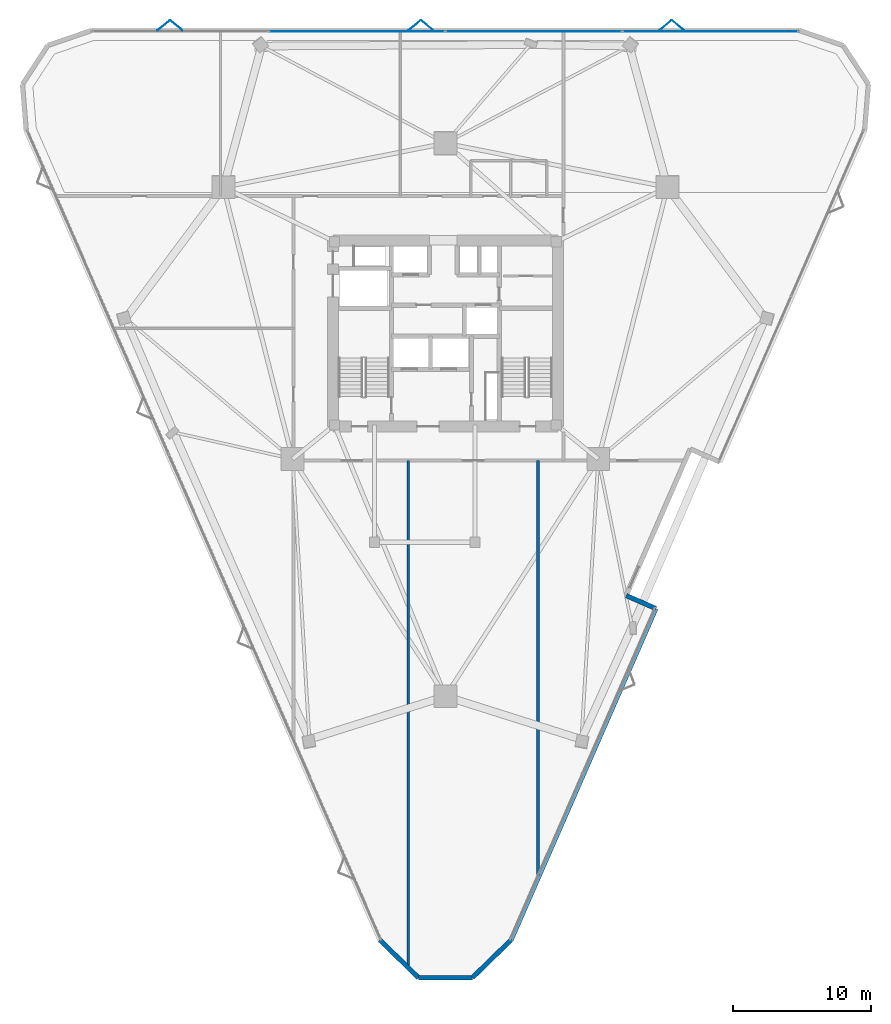
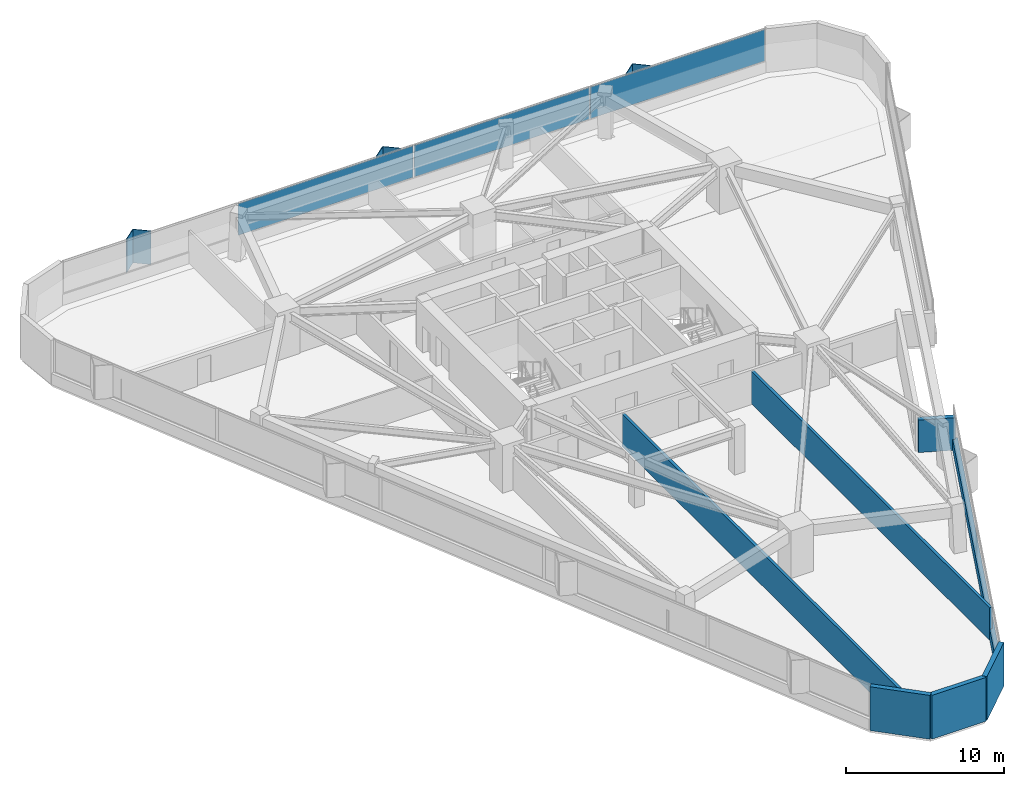
# One storey, part 10 of 15: 9 plates, 7 walls, 1 element without a shape of its own.
"""IFC4 building model written with IfcOpenShell, lengths in metres."""

from ifc_helpers import new_model, si_unit, direction, frame, frame_2d, origin, origin_2d, place, context, subcontext, project, spatial, rectangle, extrude, material, layer, layer_set, type_object, element, aggregate, save


model = new_model("IFC4")

# Units and contexts
model_context = context("Model", 3, precision=1e-05, world=origin(), true_north=direction((0.0, 1.0)))
body_context = subcontext(model_context, "Body", "Model", "MODEL_VIEW")
ifc_project = project(units=[si_unit("LENGTHUNIT", "METRE"), si_unit("AREAUNIT", "SQUARE_METRE"), si_unit("VOLUMEUNIT", "CUBIC_METRE"), si_unit("PLANEANGLEUNIT", "RADIAN"), si_unit("MASSUNIT", "GRAM", prefix="KILO")], contexts=[model_context])

# Site, building, storey
site_placement = place(None, origin())
site = spatial("IfcSite", under=ifc_project, at=site_placement, CompositionType="ELEMENT")
building_placement = place(site_placement, origin())
building = spatial("IfcBuilding", under=site, at=building_placement, Name="Talyreon Biosciences Tower", CompositionType="ELEMENT")
storey_placement = place(building_placement, frame((0.0, 0.0, 100.550048828125)))
storey = spatial("IfcBuildingStorey", under=building, at=storey_placement, Name="L26", CompositionType="ELEMENT", Elevation=100.550048828125)

# Curtain wall, plates
ifc_material_1 = material(Name="Thermally broken aluminium and low-E glazing", Category="aluminium")
ifc_layer_1 = layer(ifc_material_1, 0.205078125)
ifc_layer_set_1 = layer_set([ifc_layer_1], Name="Thermally broken aluminium and low-E glazing")
curtain_wall_type = type_object("IfcCurtainWallType", Name="CurtainWall_SkyGardenLoggia", PredefinedType="NOTDEFINED", material=ifc_layer_set_1)
curtain_wall_placement = place(storey_placement, origin())
curtain_wall = element("IfcCurtainWall", 1, at=curtain_wall_placement, inside=storey, type_object=curtain_wall_type, Name="L26 Unitised Curtain Wall FCW-L26-03", PredefinedType="NOTDEFINED")
ifc_material_2 = material(Name="Acoustic laminated low-E insulated glazing", Category="glass")
ifc_layer_2 = layer(ifc_material_2, 0.0380859375)
ifc_layer_set_2 = layer_set([ifc_layer_2], Name="Acoustic laminated low-E insulated glazing")
plate_type_1 = type_object("IfcPlateType", Name="CWGlazingPanel_38", PredefinedType="CURTAIN_PANEL", material=ifc_layer_set_2)
plate_1_placement = place(storey_placement, frame((59.58642578125, 89.906494140625, 0.875), z_axis=(0.0, 0.0, 1.0), x_axis=(1.0, 0.0, 0.0)))
plate_1 = element("IfcPlate", 2, at=plate_1_placement, type_object=plate_type_1, Name="CW7 panel 2.1", PredefinedType="CURTAIN_PANEL", context=body_context, shape_type="SweptSolid", body=[
    extrude(rectangle(XDim=12.751953125, YDim=0.0380859375, at=origin_2d()), origin(), (0.0, 0.0, 1.0), 2.43505859375),
])
plate_2_placement = place(storey_placement, frame((72.41357421875, 89.906494140625, 0.875), z_axis=(0.0, 0.0, 1.0), x_axis=(1.0, 0.0, 0.0)))
plate_2 = element("IfcPlate", 3, at=plate_2_placement, type_object=plate_type_1, Name="CW7 panel 3.1", PredefinedType="CURTAIN_PANEL", context=body_context, shape_type="SweptSolid", body=[
    extrude(rectangle(XDim=12.751953125, YDim=0.0380859375, at=origin_2d()), origin(), (0.0, 0.0, 1.0), 2.43505859375),
])
plate_3_placement = place(storey_placement, frame((85.2216796875, 89.906494140625, 0.875), z_axis=(0.0, 0.0, 1.0), x_axis=(1.0, 0.0, 0.0)))
plate_3 = element("IfcPlate", 4, at=plate_3_placement, type_object=plate_type_1, Name="CW7 panel 4.1", PredefinedType="CURTAIN_PANEL", context=body_context, shape_type="SweptSolid", body=[
    extrude(rectangle(XDim=12.71435546875, YDim=0.0380859375, at=origin_2d()), origin(), (0.0, 0.0, 1.0), 2.43505859375),
])
aggregate(curtain_wall, [plate_1, plate_2, plate_3])

# Plates
ifc_material_3 = material(Name="Ivory GFRC sunshade panel", Category="concrete")
ifc_layer_3 = layer(ifc_material_3, 0.044921875)
ifc_layer_set_3 = layer_set([ifc_layer_3], Name="Ivory GFRC sunshade panel")
plate_type_2 = type_object("IfcPlateType", Name="FoldedVSunshade_NorthFace_SUNSHADE", PredefinedType="USERDEFINED", material=ifc_layer_set_3)
for number, where, z_axis, x_axis, name in (
    (5, (45.566162109375, 90.3466796875, 0.7900390625), (0.0, 0.0, 1.0), (0.771624583388, 0.636078220278, 0.0), "L26 Folded V-Sunshade Panel 03.01L"),
    (6, (46.466064453125, 90.3466796875, 0.7900390625), (0.0, 0.0, 1.0), (0.771624583388, -0.636078220278, 0.0), "L26 Folded V-Sunshade Panel 03.01R"),
    (7, (63.76611328125, 90.3466796875, 0.7900390625), (0.0, 0.0, 1.0), (0.771624583388, 0.636078220278, 0.0), "L26 Folded V-Sunshade Panel 03.02L"),
    (8, (64.666015625, 90.3466796875, 0.7900390625), (0.0, 0.0, 1.0), (0.771624583388, -0.636078220278, 0.0), "L26 Folded V-Sunshade Panel 03.02R"),
    (9, (81.966064453125, 90.3466796875, 0.7900390625), (0.0, 0.0, 1.0), (0.771624583388, 0.636078220278, 0.0), "L26 Folded V-Sunshade Panel 03.03L"),
    (10, (82.8662109375, 90.3466796875, 0.7900390625), (0.0, 0.0, 1.0), (0.771624583388, -0.636078220278, 0.0), "L26 Folded V-Sunshade Panel 03.03R"),
):
    element("IfcPlate", number, at=place(storey_placement, frame(where, z_axis=z_axis, x_axis=x_axis)), inside=storey, type_object=plate_type_2, Name=name, ObjectType="SUNSHADE", PredefinedType="USERDEFINED", context=body_context, shape_type="SweptSolid", body=[
        extrude(rectangle(XDim=1.14990234375, YDim=0.044921875, at=origin_2d()), origin(), (0.0, 0.0, 1.0), 2.5849609375),
    ])

# Walls
ifc_material_4 = material(Name="Gypsum fireboard acoustic stud", Category="gypsum")
ifc_layer_4 = layer(ifc_material_4, 0.199951171875)
ifc_layer_set_4 = layer_set([ifc_layer_4], Name="Gypsum fireboard acoustic stud")
wall_type_1 = type_object("IfcWallType", Name="ChemControlPartition_200", PredefinedType="PARTITIONING", material=ifc_layer_set_4)
wall_1_placement = place(storey_placement, frame((63.301025390625, 22.096923828125, 0.0), z_axis=(0.0, 0.0, 1.0), x_axis=(0.0, 1.0, 0.0)))
element("IfcWall", 11, at=wall_1_placement, inside=storey, type_object=wall_type_1, Name="L26 Interior Wall IW-L26-SDIV1", PredefinedType="PARTITIONING", context=body_context, shape_type="SweptSolid", body=[
    extrude(rectangle(XDim=36.673095703125, YDim=0.199951171875, at=frame_2d((18.33642578125, 0.0))), origin(), (0.0, 0.0, 1.0), 2.5048828125),
])
wall_2_placement = place(storey_placement, frame((72.721923828125, 28.68310546875, 0.0), z_axis=(0.0, 0.0, 1.0), x_axis=(0.0, 1.0, 0.0)))
element("IfcWall", 12, at=wall_2_placement, inside=storey, type_object=wall_type_1, Name="L26 Interior Wall IW-L26-SDIV2", PredefinedType="PARTITIONING", context=body_context, shape_type="SweptSolid", body=[
    extrude(rectangle(XDim=30.0869140625, YDim=0.199951171875, at=frame_2d((15.04345703125, 0.0))), origin(), (0.0, 0.0, 1.0), 2.5048828125),
])
ifc_material_5 = material(Name="Precast concrete C45/55", Category="concrete")
ifc_layer_5 = layer(ifc_material_5, 0.340087890625)
ifc_layer_set_5 = layer_set([ifc_layer_5], Name="Precast concrete C45/55")
wall_type_2 = type_object("IfcWallType", Name="PrecastConcreteSpandrelWall_340", PredefinedType="STANDARD", material=ifc_layer_set_5)
wall_3_placement = place(storey_placement, frame((79.1162109375, 48.974365234375, 0.0), z_axis=(0.0, 0.0, 1.0), x_axis=(0.916355112529, -0.400366466805, 0.0)))
element("IfcWall", 13, at=wall_3_placement, inside=storey, type_object=wall_type_2, Name="L26 Terrace Backing Concrete Wall 10", PredefinedType="STANDARD", context=body_context, shape_type="SweptSolid", body=[
    extrude(rectangle(XDim=2.35009765625, YDim=0.340087890625, at=frame_2d((1.175048828125, 0.0))), origin(), (0.0, 0.0, 1.0), 2.5048828125),
])
wall_4_placement = place(storey_placement, frame((81.269775390625, 48.033447265625, 0.0), z_axis=(0.0, 0.0, 1.0), x_axis=(-0.400394097172, -0.916343039996, 0.0)))
element("IfcWall", 14, at=wall_4_placement, inside=storey, type_object=wall_type_2, Name="L26 Expressed Concrete Sill Wall 11", PredefinedType="STANDARD", context=body_context, shape_type="SweptSolid", body=[
    extrude(rectangle(XDim=26.236328125, YDim=0.340087890625, at=frame_2d((13.1181640625, 0.0))), origin(), (0.0, 0.0, 1.0), 0.849853515625),
])
wall_5_placement = place(storey_placement, frame((70.764892578125, 23.991943359375, 0.0), z_axis=(0.0, 0.0, 1.0), x_axis=(-0.71611458566, -0.697982736323, 0.0)))
element("IfcWall", 15, at=wall_5_placement, inside=storey, type_object=wall_type_2, Name="L26 Rounded-Corner Concrete Pier 12", PredefinedType="STANDARD", context=body_context, shape_type="SweptSolid", body=[
    extrude(rectangle(XDim=3.918212890625, YDim=0.340087890625, at=frame_2d((1.958984375, 0.0))), origin(), (0.0, 0.0, 1.0), 3.375),
])
wall_6_placement = place(storey_placement, frame((67.958984375, 21.257080078125, 0.0), z_axis=(0.0, 0.0, 1.0), x_axis=(-1.0, 0.0, 0.0)))
element("IfcWall", 16, at=wall_6_placement, inside=storey, type_object=wall_type_2, Name="L26 Rounded-Corner Concrete Pier 13", PredefinedType="STANDARD", context=body_context, shape_type="SweptSolid", body=[
    extrude(rectangle(XDim=3.91796875, YDim=0.340087890625, at=frame_2d((1.958984375, 0.0))), origin(), (0.0, 0.0, 1.0), 3.375),
])
wall_7_placement = place(storey_placement, frame((64.041015625, 21.257080078125, 0.0), z_axis=(0.0, 0.0, 1.0), x_axis=(-0.71611458566, 0.697982736323, 0.0)))
element("IfcWall", 17, at=wall_7_placement, inside=storey, type_object=wall_type_2, Name="L26 Rounded-Corner Concrete Pier 14", PredefinedType="STANDARD", context=body_context, shape_type="SweptSolid", body=[
    extrude(rectangle(XDim=3.918212890625, YDim=0.340087890625, at=frame_2d((1.958984375, 0.0))), origin(), (0.0, 0.0, 1.0), 3.375),
])

save(model, "model.ifc")
